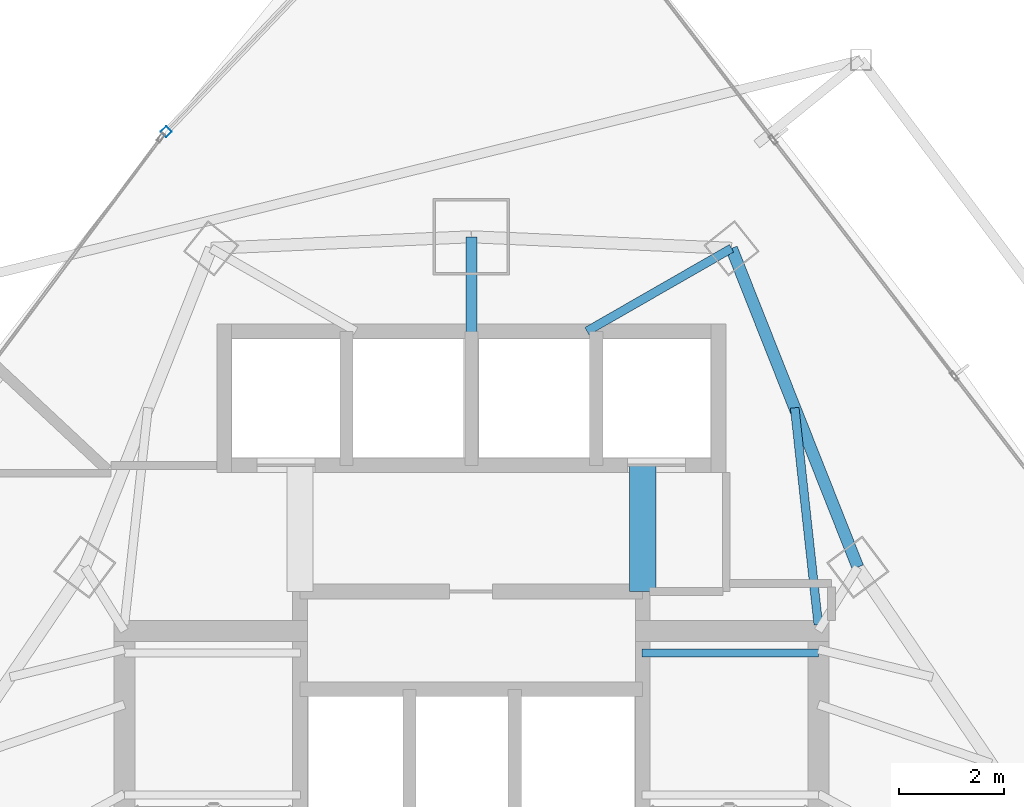
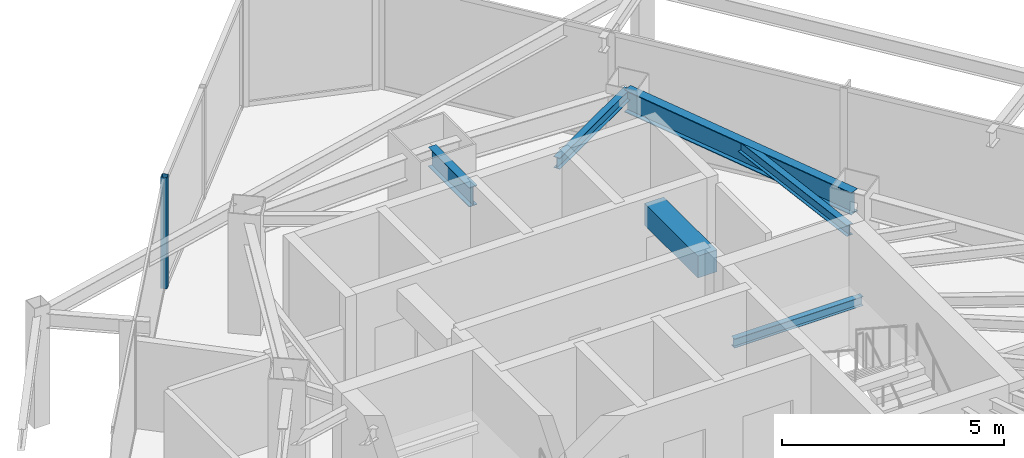
# One storey, part 19 of 30: 6 beams, 1 member, 1 element without a shape of its own.
"""IFC4 building model written with IfcOpenShell, lengths in metres."""

import ifcopenshell
import ifcopenshell.guid

model = None  # the IFC model being written
_history = None  # IfcOwnerHistory: only IFC2X3 demands one
_inside = {}  # id of a spatial element -> (the spatial element, [elements in it])
_under = {}  # id of a project, library or spatial element -> (it, [spatial elements below it])
_declared = {}  # id of a project -> (the project, [libraries it declares])
_typed = {}  # id of a type object -> (the type object, [elements of that type])
_made_of = {}  # id of a material, layer set ... -> (it, [elements and type objects made of it])


def new_model(schema):
    """Start an empty IFC model of exactly this schema.

    Asked for "IFC4X3", IfcOpenShell would pick the latest addendum, in which some entities
    have other attributes; the version numbers below select the first issue.
    IFC2X3 requires an IfcOwnerHistory on every rooted entity: one is made here for all.
    """
    global model, _history
    if schema == "IFC4X3":
        model = ifcopenshell.file(schema_version=(4, 3, 0, 0))
    else:
        model = ifcopenshell.file(schema=schema)
    _inside.clear()
    _under.clear()
    _declared.clear()
    _typed.clear()
    _made_of.clear()
    _history = None
    if model.schema == "IFC2X3":
        org = make("IfcOrganization", Name="unknown")
        user = make(
            "IfcPersonAndOrganization",
            ThePerson=make("IfcPerson", FamilyName="unknown"),
            TheOrganization=org,
        )
        app = make(
            "IfcApplication",
            ApplicationDeveloper=org,
            Version="unknown",
            ApplicationFullName="unknown",
            ApplicationIdentifier="unknown",
        )
        _history = make(
            "IfcOwnerHistory",
            OwningUser=user,
            OwningApplication=app,
            ChangeAction="ADDED",
            CreationDate=0,
        )
    return model


def make(cls, **values):
    """One entity of the class cls with the attributes given. An attribute that is None is left unset."""
    return model.create_entity(
        cls, **{name: value for name, value in values.items() if value is not None}
    )


def rooted(cls, **values):
    """An entity with a GlobalId (a new one), such as an element, a storey or a relation."""
    return make(cls, GlobalId=ifcopenshell.guid.new(), OwnerHistory=_history, **values)


def si_unit(unit_type, name, prefix=None):
    """IfcSIUnit, for example si_unit("LENGTHUNIT", "METRE", prefix="MILLI")."""
    return make("IfcSIUnit", UnitType=unit_type, Prefix=prefix, Name=name)


def assignment(units):
    """IfcUnitAssignment: the units of a project."""
    return None if units is None else make("IfcUnitAssignment", Units=units)


def point(xyz):
    """IfcCartesianPoint."""
    return None if xyz is None else make("IfcCartesianPoint", Coordinates=xyz)


def direction(xyz):
    """IfcDirection."""
    return None if xyz is None else make("IfcDirection", DirectionRatios=xyz)


def frame(location, z_axis=None, x_axis=None):
    """IfcAxis2Placement3D, a coordinate frame: its origin and axes. An axis left out is left unset."""
    return make(
        "IfcAxis2Placement3D",
        Location=point(location),
        Axis=direction(z_axis),
        RefDirection=direction(x_axis),
    )


def frame_2d(location, x_axis=None):
    """IfcAxis2Placement2D, a coordinate frame in the plane: its origin and x axis."""
    return make(
        "IfcAxis2Placement2D", Location=point(location), RefDirection=direction(x_axis)
    )


def origin():
    """The frame at (0, 0, 0) with its axes left unset."""
    return frame((0.0, 0.0, 0.0))


def origin_2d():
    """The frame at (0, 0) in the plane with its x axis left unset."""
    return frame_2d((0.0, 0.0))


def place(relative_to, where):
    """IfcLocalPlacement: puts the frame where relative to a parent placement (None: the world)."""
    return make(
        "IfcLocalPlacement", PlacementRelTo=relative_to, RelativePlacement=where
    )


def context(
    kind, dimensions, precision=None, world=None, true_north=None, identifier=None
):
    """IfcGeometricRepresentationContext, for example the 3D "Model" context."""
    return make(
        "IfcGeometricRepresentationContext",
        ContextIdentifier=identifier,
        ContextType=kind,
        CoordinateSpaceDimension=dimensions,
        Precision=precision,
        WorldCoordinateSystem=world,
        TrueNorth=true_north,
    )


def subcontext(parent, identifier, kind, view, scale=None):
    """IfcGeometricRepresentationSubContext, for example "Body" below "Model"."""
    return make(
        "IfcGeometricRepresentationSubContext",
        ContextIdentifier=identifier,
        ContextType=kind,
        ParentContext=parent,
        TargetScale=scale,
        TargetView=view,
    )


def project(units=None, contexts=None):
    """IfcProject with its units and contexts."""
    return rooted(
        "IfcProject",
        Name="project",
        RepresentationContexts=contexts,
        UnitsInContext=assignment(units),
    )


def spatial(cls, under=None, at=None, **own):
    """A site, building, storey or space (cls), placed at a placement, below another one or the project."""
    s = rooted(cls, ObjectPlacement=at, **own)
    if under is not None:
        _under.setdefault(under.id(), (under, []))[1].append(s)
    return s


def profile(cls, at=None, kind="AREA", **sizes):
    """A parametric profile (cls). Its sizes go by their IFC names, for example OverallWidth=200.0."""
    return make(cls, ProfileType=kind, Position=at, **sizes)


def rectangle(**sizes):
    """IfcRectangleProfileDef."""
    return profile("IfcRectangleProfileDef", **sizes)


def hollow_rectangle(**sizes):
    """IfcRectangleHollowProfileDef."""
    return profile("IfcRectangleHollowProfileDef", **sizes)


def i_section(**sizes):
    """IfcIShapeProfileDef."""
    return profile("IfcIShapeProfileDef", **sizes)


def extrude(swept, where, along, depth):
    """IfcExtrudedAreaSolid: the profile swept, set in the frame where, extruded along a direction by depth."""
    return make(
        "IfcExtrudedAreaSolid",
        SweptArea=swept,
        Position=where,
        ExtrudedDirection=direction(along),
        Depth=depth,
    )


def shape(context_of_items, identifier, shape_type, items):
    """IfcShapeRepresentation: the items that make up one representation, for example the "Body"."""
    return make(
        "IfcShapeRepresentation",
        ContextOfItems=context_of_items,
        RepresentationIdentifier=identifier,
        RepresentationType=shape_type,
        Items=items,
    )


def material(Name=None, Category=None):
    """IfcMaterial."""
    return make("IfcMaterial", Name=Name, Category=Category)


def layer(
    of_material, thickness, ventilated=None, Name=None, Category=None, Priority=None
):
    """IfcMaterialLayer: one layer of a wall or slab, of a material (None: an air gap)."""
    return make(
        "IfcMaterialLayer",
        Material=of_material,
        LayerThickness=thickness,
        IsVentilated=ventilated,
        Name=Name,
        Category=Category,
        Priority=Priority,
    )


def layer_set(layers, Name=None):
    """IfcMaterialLayerSet."""
    return make("IfcMaterialLayerSet", MaterialLayers=layers, LayerSetName=Name)


def material_profile(
    of_material, cross_section, Name=None, Category=None, Priority=None
):
    """IfcMaterialProfile: a cross section and its material."""
    return make(
        "IfcMaterialProfile",
        Name=Name,
        Material=of_material,
        Profile=cross_section,
        Priority=Priority,
        Category=Category,
    )


def profile_set(profiles, Name=None, composite=None):
    """IfcMaterialProfileSet."""
    return make(
        "IfcMaterialProfileSet",
        Name=Name,
        MaterialProfiles=profiles,
        CompositeProfile=composite,
    )


def made_of(thing, what):
    """Note that an element or type object is made of a material, layer set ...; save() writes the relation."""
    if what is not None:
        _made_of.setdefault(what.id(), (what, []))[1].append(thing)
    return thing


def type_object(cls, material=None, **own):
    """A type object (cls), such as IfcWallType, which elements share."""
    return made_of(rooted(cls, **own), material)


def element(
    cls,
    number,
    at=None,
    inside=None,
    cuts=None,
    type_object=None,
    material=None,
    context=None,
    identifier="Body",
    shape_type=None,
    held_by="IfcProductDefinitionShape",
    body=None,
    shapes=None,
    **own,
):
    """One element of the class cls, such as IfcWall. Its Tag is "e" and its number.

    at: its placement. inside: the storey or other place that contains it. cuts: it is an
    opening in that element (IfcRelVoidsElement). A single representation is given by context,
    identifier, shape_type and body (its items); several are given by shapes. held_by: the class
    of the entity that holds the representations. save() writes the other relations.
    """
    e = rooted(cls, Tag="e%d" % number, ObjectPlacement=at, **own)
    if body is not None:
        shapes = [shape(context, identifier, shape_type, body)]
    if shapes is not None:
        e.Representation = make(held_by, Representations=shapes)
    if inside is not None:
        _inside.setdefault(inside.id(), (inside, []))[1].append(e)
    if cuts is not None:
        rooted(
            "IfcRelVoidsElement", RelatingBuildingElement=cuts, RelatedOpeningElement=e
        )
    if type_object is not None:
        _typed.setdefault(type_object.id(), (type_object, []))[1].append(e)
    return made_of(e, material)


def aggregate(whole, parts):
    """IfcRelAggregates: a whole, such as a stair, and the parts it consists of."""
    return rooted("IfcRelAggregates", RelatingObject=whole, RelatedObjects=parts)


def save(model, path):
    """Write the relations noted so far, then the file.

    IfcRelAggregates (storeys below a building ...), IfcRelContainedInSpatialStructure (elements
    in a storey), IfcRelDefinesByType, IfcRelAssociatesMaterial and IfcRelDeclares: one each for
    every whole, place, type object, material and project.
    """
    for whole, parts in _under.values():
        aggregate(whole, parts)
    for where, things in _inside.values():
        rooted(
            "IfcRelContainedInSpatialStructure",
            RelatedElements=things,
            RelatingStructure=where,
        )
    for kind, things in _typed.values():
        rooted("IfcRelDefinesByType", RelatedObjects=things, RelatingType=kind)
    for what, things in _made_of.values():
        rooted("IfcRelAssociatesMaterial", RelatedObjects=things, RelatingMaterial=what)
    for by, libraries in _declared.values():
        rooted("IfcRelDeclares", RelatingContext=by, RelatedDefinitions=libraries)
    model.write(path)


model = new_model("IFC4")

# Units and contexts
model_context = context("Model", 3, precision=1e-05, world=origin(), true_north=direction((0.0, 1.0)))
body_context = subcontext(model_context, "Body", "Model", "MODEL_VIEW")
ifc_project = project(units=[si_unit("LENGTHUNIT", "METRE"), si_unit("AREAUNIT", "SQUARE_METRE"), si_unit("VOLUMEUNIT", "CUBIC_METRE"), si_unit("PLANEANGLEUNIT", "RADIAN"), si_unit("MASSUNIT", "GRAM", prefix="KILO")], contexts=[model_context])

# Site, building, storey
site_placement = place(None, origin())
site = spatial("IfcSite", under=ifc_project, at=site_placement, CompositionType="ELEMENT")
building_placement = place(site_placement, origin())
building = spatial("IfcBuilding", under=site, at=building_placement, Name="Orvanel Arch Residences", CompositionType="ELEMENT")
storey_placement = place(building_placement, frame((0.0, 0.0, 139.699951171875)))
storey = spatial("IfcBuildingStorey", under=building, at=storey_placement, Name="L39", CompositionType="ELEMENT", Elevation=139.699951171875)

# Beams
ifc_material_1 = material(Name="Structural steel AS/NZS 3679.1 Grade 300 (300 MPa)", Category="steel")
ifc_material_profile_1 = material_profile(ifc_material_1, i_section(OverallWidth=0.208984375, OverallDepth=0.532958984375, WebThickness=0.01025390625, FlangeThickness=0.015625, at=origin_2d()), Name="530UB92.4")
ifc_profile_set_1 = profile_set([ifc_material_profile_1], Name="Structural steel AS/NZS 3679.1 Grade 300 (300 MPa)")
beam_type_1 = type_object("IfcBeamType", Name="BG-530UB", PredefinedType="BEAM", material=ifc_profile_set_1)
beam_1_placement = place(storey_placement, frame((33.0, 39.550048828125, 2.79296875), z_axis=(0.0, 1.0, 0.0), x_axis=(-1.0, 0.0, 0.0)))
element("IfcBeam", 1, at=beam_1_placement, inside=storey, type_object=beam_type_1, Name="L39 North Radial Girder", PredefinedType="BEAM", context=body_context, shape_type="SweptSolid", body=[
    extrude(i_section(OverallWidth=0.208984375, OverallDepth=0.532958984375, WebThickness=0.01025390625, FlangeThickness=0.015625, at=origin_2d()), origin(), (0.0, 0.0, 1.0), 1.847900390625),
])
ifc_material_profile_2 = material_profile(ifc_material_1, i_section(OverallWidth=0.14599609375, OverallDepth=0.251953125, WebThickness=0.006103515625, FlangeThickness=0.008544921875, at=origin_2d()), Name="250UB31.4")
ifc_profile_set_2 = profile_set([ifc_material_profile_2], Name="Structural steel AS/NZS 3679.1 Grade 300 (300 MPa)")
beam_type_2 = type_object("IfcBeamType", Name="BJ-250UB", PredefinedType="JOIST", material=ifc_profile_set_2)
beam_2_placement = place(storey_placement, frame((36.25, 33.47998046875, 1.323974609375), z_axis=(1.0, 0.0, 0.0), x_axis=(0.0, 1.0, 0.0)))
element("IfcBeam", 2, at=beam_2_placement, inside=storey, type_object=beam_type_2, Name="L39 ST-2 Half-Landing Support Beam 1.2", PredefinedType="JOIST", context=body_context, shape_type="SweptSolid", body=[
    extrude(i_section(OverallWidth=0.14599609375, OverallDepth=0.251953125, WebThickness=0.006103515625, FlangeThickness=0.008544921875, at=origin_2d()), origin(), (0.0, 0.0, 1.0), 3.35009765625),
])
ifc_material_profile_3 = material_profile(ifc_material_1, i_section(OverallWidth=0.1650390625, OverallDepth=0.303955078125, WebThickness=0.006103515625, FlangeThickness=0.01025390625, at=origin_2d()), Name="310UB40.4")
ifc_profile_set_3 = profile_set([ifc_material_profile_3], Name="Structural steel AS/NZS 3679.1 Grade 300 (300 MPa)")
beam_type_3 = type_object("IfcBeamType", Name="BJ-310UB", PredefinedType="JOIST", material=ifc_profile_set_3)
beam_3_placement = place(storey_placement, frame((39.60009765625, 34.02001953125, 2.907958984375), z_axis=(-0.108261441852, 0.99412245735, 0.0), x_axis=(-0.99412245735, -0.108261441852, 0.0)))
element("IfcBeam", 3, at=beam_3_placement, inside=storey, type_object=beam_type_3, Name="L39 NNE2 Wing Floor Joist", PredefinedType="JOIST", context=body_context, shape_type="SweptSolid", body=[
    extrude(i_section(OverallWidth=0.1650390625, OverallDepth=0.303955078125, WebThickness=0.006103515625, FlangeThickness=0.01025390625, at=origin_2d()), origin(), (0.0, 0.0, 1.0), 4.1494140625),
])
beam_4_placement = place(storey_placement, frame((35.199951171875, 39.60009765625, 2.907958984375), z_axis=(0.86736513383, 0.497672306458, 0.0), x_axis=(-0.497672306458, 0.86736513383, 0.0)))
element("IfcBeam", 4, at=beam_4_placement, inside=storey, type_object=beam_type_3, Name="L39 MNE Wing Floor Joist", PredefinedType="JOIST", context=body_context, shape_type="SweptSolid", body=[
    extrude(i_section(OverallWidth=0.1650390625, OverallDepth=0.303955078125, WebThickness=0.006103515625, FlangeThickness=0.01025390625, at=origin_2d()), origin(), (0.0, 0.0, 1.0), 3.17041015625),
])
ifc_material_2 = material(Name="Concrete S65 (65 MPa)", Category="concrete")
ifc_material_profile_4 = material_profile(ifc_material_2, rectangle(XDim=0.5, YDim=0.60009765625, at=origin_2d()), Name="RC500x600")
ifc_profile_set_4 = profile_set([ifc_material_profile_4], Name="Concrete S65 (65 MPa)")
beam_type_4 = type_object("IfcBeamType", Name="CB-500x600", PredefinedType="LINTEL", material=ifc_profile_set_4)
beam_5_placement = place(storey_placement, frame((36.260009765625, 34.64990234375, 2.760009765625), z_axis=(0.0, 1.0, 0.0), x_axis=(-1.0, 0.0, 0.0)))
element("IfcBeam", 5, at=beam_5_placement, inside=storey, type_object=beam_type_4, Name="L39 East Core Lobby Coupling Lintel Beam", PredefinedType="LINTEL", context=body_context, shape_type="SweptSolid", body=[
    extrude(rectangle(XDim=0.5, YDim=0.60009765625, at=origin_2d()), origin(), (0.0, 0.0, 1.0), 2.400146484375),
])

# Curtain wall, member
ifc_material_3 = material(Name="Bronze-anodised aluminium AA6063-T6", Category="aluminium")
ifc_layer = layer(ifc_material_3, 0.18994140625)
ifc_layer_set = layer_set([ifc_layer], Name="Bronze-anodised aluminium AA6063-T6")
curtain_wall_type = type_object("IfcCurtainWallType", Name="CW5-CRN-SYS", PredefinedType="NOTDEFINED", material=ifc_layer_set)
curtain_wall_placement = place(storey_placement, origin())
curtain_wall = element("IfcCurtainWall", 6, at=curtain_wall_placement, inside=storey, type_object=curtain_wall_type, Name="L39 CW5-CRN-SYS Unitised Curtain Wall", PredefinedType="NOTDEFINED")
ifc_material_profile_5 = material_profile(ifc_material_3, hollow_rectangle(XDim=0.14990234375, YDim=0.14990234375, WallThickness=0.0048828125, at=origin_2d()), Name="ALU150x150x5")
ifc_profile_set_5 = profile_set([ifc_material_profile_5], Name="Bronze-anodised aluminium AA6063-T6")
member_type = type_object("IfcMemberType", Name="MUL-150x150", PredefinedType="MULLION", material=ifc_profile_set_5)
member_placement = place(storey_placement, frame((27.194580078125, 43.396240234375, 0.0), z_axis=(0.0, 0.0, 1.0), x_axis=(0.724586146342, -0.689184239902, 0.0)))
member = element("IfcMember", 7, at=member_placement, type_object=member_type, Name="CW-S5 mullion 3", PredefinedType="MULLION", context=body_context, shape_type="SweptSolid", body=[
    extrude(hollow_rectangle(XDim=0.14990234375, YDim=0.14990234375, WallThickness=0.0048828125, at=origin_2d()), origin(), (0.0, 0.0, 1.0), 3.06005859375),
])
aggregate(curtain_wall, [member])

# Beam
ifc_material_profile_6 = material_profile(ifc_material_1, i_section(OverallWidth=0.22900390625, OverallDepth=0.612060546875, WebThickness=0.011962890625, FlangeThickness=0.01953125, at=origin_2d()), Name="610UB125")
ifc_profile_set_6 = profile_set([ifc_material_profile_6], Name="Structural steel AS/NZS 3679.1 Grade 300 (300 MPa)")
beam_type_5 = type_object("IfcBeamType", Name="SP-610UB", PredefinedType="SPANDREL", material=ifc_profile_set_6)
beam_6_placement = place(storey_placement, frame((40.35205078125, 35.113037109375, 2.754150390625), z_axis=(-0.368233143579, 0.929733484376, 0.0), x_axis=(-0.929733484376, -0.368233143579, 0.0)))
element("IfcBeam", 8, at=beam_6_placement, inside=storey, type_object=beam_type_5, Name="L39 Perimeter Spandrel Beam 13", PredefinedType="SPANDREL", context=body_context, shape_type="SweptSolid", body=[
    extrude(i_section(OverallWidth=0.22900390625, OverallDepth=0.612060546875, WebThickness=0.011962890625, FlangeThickness=0.01953125, at=origin_2d()), origin(), (0.0, 0.0, 1.0), 6.523193359375),
])

save(model, "model.ifc")
